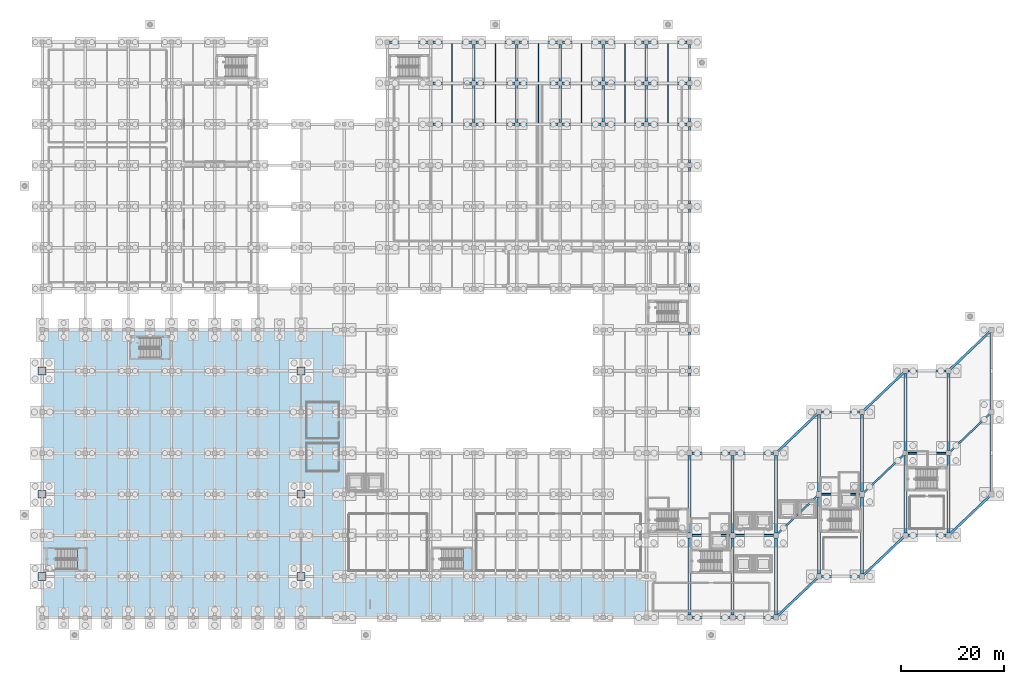
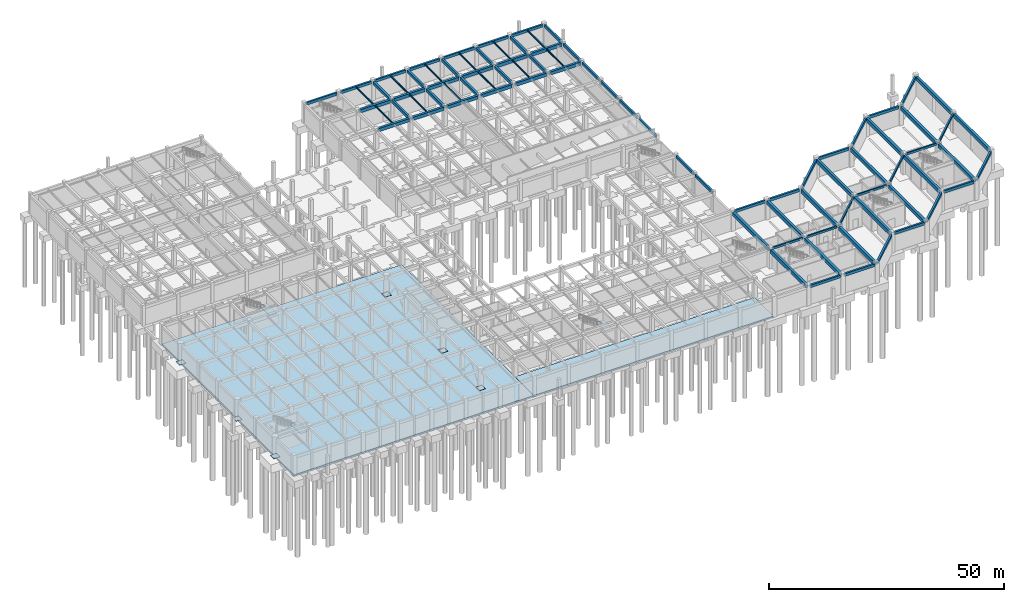
# One storey, part 34 of 56: 86 beams, 6 plates, 5 slabs, 3 elements without a shape of their own.
"""IFC4 building model written with IfcOpenShell, lengths in metres."""

from ifc_helpers import new_model, si_unit, direction, frame, origin, origin_2d, place, context, subcontext, project, spatial, polyline, rectangle, i_section, outline, extrude, material, layer, layer_set, material_profile, profile_set, type_object, element, aggregate, save


model = new_model("IFC4")

# Units and contexts
model_context = context("Model", 3, precision=1e-05, world=origin(), true_north=direction((0.0, 1.0)))
body_context = subcontext(model_context, "Body", "Model", "MODEL_VIEW")
ifc_project = project(units=[si_unit("LENGTHUNIT", "METRE"), si_unit("AREAUNIT", "SQUARE_METRE"), si_unit("VOLUMEUNIT", "CUBIC_METRE"), si_unit("PLANEANGLEUNIT", "RADIAN"), si_unit("MASSUNIT", "GRAM", prefix="KILO")], contexts=[model_context])

# Site, building, storey
site_placement = place(None, origin())
site = spatial("IfcSite", under=ifc_project, at=site_placement, CompositionType="ELEMENT")
building_placement = place(site_placement, origin())
building = spatial("IfcBuilding", under=site, at=building_placement, Name="Naruveol Harbour Congress Hotel", CompositionType="ELEMENT")
storey_placement = place(building_placement, frame((0.0, 0.0, -5.39990234375)))
storey = spatial("IfcBuildingStorey", under=building, at=storey_placement, Name="B01", CompositionType="ELEMENT", Elevation=-5.39990234375)

# Beams
ifc_material_1 = material(Name="Concrete C40/50", Category="concrete")
ifc_material_profile_1 = material_profile(ifc_material_1, rectangle(XDim=0.5, YDim=0.75, at=origin_2d()), Name="RCB-500x750")
ifc_profile_set_1 = profile_set([ifc_material_profile_1], Name="Concrete C40/50")
beam_type_1 = type_object("IfcBeamType", Name="RC FLOOR GIRDER 500X750", PredefinedType="BEAM", material=ifc_profile_set_1)
beam_1_placement = place(storey_placement, frame((84.0, 96.39599609375, 4.6748046875), z_axis=(0.0, 1.0, 0.0), x_axis=(-1.0, 0.0, 0.0)))
element("IfcBeam", 1, at=beam_1_placement, inside=storey, type_object=beam_type_1, Name="Transverse girder L00 CB3", PredefinedType="BEAM", context=body_context, shape_type="SweptSolid", body=[
    extrude(rectangle(XDim=0.5, YDim=0.75, at=origin_2d()), origin(), (0.0, 0.0, 1.0), 7.2080078125),
])
beam_2_placement = place(storey_placement, frame((84.0, 104.39599609375, 4.625), z_axis=(0.0, 1.0, 0.0), x_axis=(-1.0, 0.0, 0.0)))
element("IfcBeam", 2, at=beam_2_placement, inside=storey, type_object=beam_type_1, Name="Transverse girder L00 CB3", PredefinedType="BEAM", context=body_context, shape_type="SweptSolid", body=[
    extrude(rectangle(XDim=0.5, YDim=0.75, at=origin_2d()), origin(), (0.0, 0.0, 1.0), 7.157958984375),
])
beam_3_placement = place(storey_placement, frame((92.39990234375, 96.39599609375, 4.6748046875), z_axis=(0.0, 1.0, 0.0), x_axis=(-1.0, 0.0, 0.0)))
element("IfcBeam", 3, at=beam_3_placement, inside=storey, type_object=beam_type_1, Name="Transverse girder L00 CB3", PredefinedType="BEAM", context=body_context, shape_type="SweptSolid", body=[
    extrude(rectangle(XDim=0.5, YDim=0.75, at=origin_2d()), origin(), (0.0, 0.0, 1.0), 7.2080078125),
])
beam_4_placement = place(storey_placement, frame((92.39990234375, 104.39599609375, 4.625), z_axis=(0.0, 1.0, 0.0), x_axis=(-1.0, 0.0, 0.0)))
element("IfcBeam", 4, at=beam_4_placement, inside=storey, type_object=beam_type_1, Name="Transverse girder L00 CB3", PredefinedType="BEAM", context=body_context, shape_type="SweptSolid", body=[
    extrude(rectangle(XDim=0.5, YDim=0.75, at=origin_2d()), origin(), (0.0, 0.0, 1.0), 7.157958984375),
])
beam_5_placement = place(storey_placement, frame((100.800048828125, 96.39599609375, 4.6748046875), z_axis=(0.0, 1.0, 0.0), x_axis=(-1.0, 0.0, 0.0)))
element("IfcBeam", 5, at=beam_5_placement, inside=storey, type_object=beam_type_1, Name="Transverse girder L00 CB3", PredefinedType="BEAM", context=body_context, shape_type="SweptSolid", body=[
    extrude(rectangle(XDim=0.5, YDim=0.75, at=origin_2d()), origin(), (0.0, 0.0, 1.0), 7.2080078125),
])
beam_6_placement = place(storey_placement, frame((100.800048828125, 104.39599609375, 4.625), z_axis=(0.0, 1.0, 0.0), x_axis=(-1.0, 0.0, 0.0)))
element("IfcBeam", 6, at=beam_6_placement, inside=storey, type_object=beam_type_1, Name="Transverse girder L00 CB3", PredefinedType="BEAM", context=body_context, shape_type="SweptSolid", body=[
    extrude(rectangle(XDim=0.5, YDim=0.75, at=origin_2d()), origin(), (0.0, 0.0, 1.0), 7.157958984375),
])
for number, where, z_axis, x_axis, name in (
    (7, (109.199951171875, 96.446044921875, 4.6748046875), (0.0, 1.0, 0.0), (-1.0, 0.0, 0.0), "Transverse girder L00 CB3"),
    (8, (109.199951171875, 104.446044921875, 4.625), (0.0, 1.0, 0.0), (-1.0, 0.0, 0.0), "Transverse girder L00 CB3"),
    (9, (117.60009765625, 96.446044921875, 4.6748046875), (0.0, 1.0, 0.0), (-1.0, 0.0, 0.0), "Transverse girder L00 CB3"),
    (10, (117.60009765625, 104.446044921875, 4.625), (0.0, 1.0, 0.0), (-1.0, 0.0, 0.0), "Transverse girder L00 CB3"),
):
    element("IfcBeam", number, at=place(storey_placement, frame(where, z_axis=z_axis, x_axis=x_axis)), inside=storey, type_object=beam_type_1, Name=name, PredefinedType="BEAM", context=body_context, shape_type="SweptSolid", body=[
        extrude(rectangle(XDim=0.5, YDim=0.75, at=origin_2d()), origin(), (0.0, 0.0, 1.0), 7.10791015625),
    ])
ifc_material_2 = material(Name="Concrete C40/50", Category="concrete")
ifc_material_profile_2 = material_profile(ifc_material_2, rectangle(XDim=0.60009765625, YDim=0.949951171875, at=origin_2d()), Name="RCB-600x950")
ifc_profile_set_2 = profile_set([ifc_material_profile_2], Name="Concrete C40/50")
beam_type_2 = type_object("IfcBeamType", Name="RC LONG SPAN GIRDER 600X950", PredefinedType="BEAM", material=ifc_profile_set_2)
for number, where, z_axis, x_axis, name in (
    (11, (126.0, 0.49609375, 4.52490234375), (0.0, 1.0, 0.0), (-1.0, 0.0, 0.0), "Hotel pilotis girder L00 CB1"),
    (12, (126.0, 16.49609375, 4.52490234375), (0.0, 1.0, 0.0), (-1.0, 0.0, 0.0), "Hotel pilotis girder L00 CB1"),
    (13, (134.39990234375, 0.49609375, 4.52490234375), (0.0, 1.0, 0.0), (-1.0, 0.0, 0.0), "Hotel pilotis girder L00 CB1"),
    (14, (134.39990234375, 16.49609375, 4.52490234375), (0.0, 1.0, 0.0), (-1.0, 0.0, 0.0), "Hotel pilotis girder L00 CB1"),
    (15, (142.800048828125, 0.49609375, 4.52490234375), (0.0, 1.0, 0.0), (-1.0, 0.0, 0.0), "Hotel pilotis girder L00 CB1"),
    (16, (142.800048828125, 16.49609375, 4.52490234375), (0.0, 1.0, 0.0), (-1.0, 0.0, 0.0), "Hotel pilotis girder L00 CB1"),
    (17, (151.199951171875, 8.49609375, 4.574951171875), (0.0, 1.0, 0.0), (-1.0, 0.0, 0.0), "Hotel pilotis girder L00 CB1"),
    (18, (151.199951171875, 24.49609375, 4.52490234375), (0.0, 1.0, 0.0), (-1.0, 0.0, 0.0), "Hotel pilotis girder L00 CB1"),
    (19, (159.60009765625, 8.49609375, 4.574951171875), (0.0, 1.0, 0.0), (-1.0, 0.0, 0.0), "Hotel pilotis girder L00 CB1"),
    (20, (159.60009765625, 24.49609375, 4.52490234375), (0.0, 1.0, 0.0), (-1.0, 0.0, 0.0), "Hotel pilotis girder L00 CB1"),
    (21, (168.0, 16.49609375, 4.574951171875), (0.0, 1.0, 0.0), (-1.0, 0.0, 0.0), "Hotel pilotis girder L00 CB1"),
    (22, (168.0, 32.49609375, 4.52490234375), (0.0, 1.0, 0.0), (-1.0, 0.0, 0.0), "Hotel pilotis girder L00 CB1"),
    (23, (176.39990234375, 16.49609375, 4.574951171875), (0.0, 1.0, 0.0), (-1.0, 0.0, 0.0), "Hotel pilotis girder L00 CB1"),
    (24, (176.39990234375, 32.49609375, 4.52490234375), (0.0, 1.0, 0.0), (-1.0, 0.0, 0.0), "Hotel pilotis girder L00 CB1"),
    (25, (184.800048828125, 24.49609375, 4.574951171875), (0.0, 1.0, 0.0), (-1.0, 0.0, 0.0), "Hotel pilotis girder L00 CB1"),
    (26, (184.800048828125, 40.49609375, 4.52490234375), (0.0, 1.0, 0.0), (-1.0, 0.0, 0.0), "Hotel pilotis girder L00 CB1"),
):
    element("IfcBeam", number, at=place(storey_placement, frame(where, z_axis=z_axis, x_axis=x_axis)), inside=storey, type_object=beam_type_2, Name=name, PredefinedType="BEAM", context=body_context, shape_type="SweptSolid", body=[
        extrude(rectangle(XDim=0.60009765625, YDim=0.949951171875, at=origin_2d()), origin(), (0.0, 0.0, 1.0), 15.0078125),
    ])
ifc_material_3 = material(Name="Concrete C40/50", Category="concrete")
ifc_material_profile_3 = material_profile(ifc_material_3, rectangle(XDim=0.550048828125, YDim=0.85009765625, at=origin_2d()), Name="RCB-550x850")
ifc_profile_set_3 = profile_set([ifc_material_profile_3], Name="Concrete C40/50")
beam_type_3 = type_object("IfcBeamType", Name="RC PRIMARY GIRDER 550X850", PredefinedType="BEAM", material=ifc_profile_set_3)
beam_7_placement = place(storey_placement, frame((76.0458984375, 96.0, 4.625), z_axis=(1.0, 0.0, 0.0), x_axis=(0.0, 1.0, 0.0)))
element("IfcBeam", 27, at=beam_7_placement, inside=storey, type_object=beam_type_3, Name="Floor girder L00 CB2", PredefinedType="BEAM", context=body_context, shape_type="SweptSolid", body=[
    extrude(rectangle(XDim=0.550048828125, YDim=0.85009765625, at=origin_2d()), origin(), (0.0, 0.0, 1.0), 7.55810546875),
])
beam_8_placement = place(storey_placement, frame((84.39599609375, 96.0, 4.625), z_axis=(1.0, 0.0, 0.0), x_axis=(0.0, 1.0, 0.0)))
element("IfcBeam", 28, at=beam_8_placement, inside=storey, type_object=beam_type_3, Name="Floor girder L00 CB2", PredefinedType="BEAM", context=body_context, shape_type="SweptSolid", body=[
    extrude(rectangle(XDim=0.550048828125, YDim=0.85009765625, at=origin_2d()), origin(), (0.0, 0.0, 1.0), 7.60791015625),
])
beam_9_placement = place(storey_placement, frame((92.7958984375, 96.0, 4.625), z_axis=(1.0, 0.0, 0.0), x_axis=(0.0, 1.0, 0.0)))
element("IfcBeam", 29, at=beam_9_placement, inside=storey, type_object=beam_type_3, Name="Floor girder L00 CB2", PredefinedType="BEAM", context=body_context, shape_type="SweptSolid", body=[
    extrude(rectangle(XDim=0.550048828125, YDim=0.85009765625, at=origin_2d()), origin(), (0.0, 0.0, 1.0), 7.608154296875),
])
beam_10_placement = place(storey_placement, frame((101.196044921875, 96.0, 4.625), z_axis=(1.0, 0.0, 0.0), x_axis=(0.0, 1.0, 0.0)))
element("IfcBeam", 30, at=beam_10_placement, inside=storey, type_object=beam_type_3, Name="Floor girder L00 CB2", PredefinedType="BEAM", context=body_context, shape_type="SweptSolid", body=[
    extrude(rectangle(XDim=0.550048828125, YDim=0.85009765625, at=origin_2d()), origin(), (0.0, 0.0, 1.0), 7.557861328125),
])
for number, where, z_axis, x_axis, name in (
    (31, (109.64599609375, 96.0, 4.625), (1.0, 0.0, 0.0), (0.0, 1.0, 0.0), "Floor girder L00 CB2"),
    (32, (118.0458984375, 96.0, 4.574951171875), (1.0, 0.0, 0.0), (0.0, 1.0, 0.0), "Floor girder L00 CB2"),
):
    element("IfcBeam", number, at=place(storey_placement, frame(where, z_axis=z_axis, x_axis=x_axis)), inside=storey, type_object=beam_type_3, Name=name, PredefinedType="BEAM", context=body_context, shape_type="SweptSolid", body=[
        extrude(rectangle(XDim=0.550048828125, YDim=0.85009765625, at=origin_2d()), origin(), (0.0, 0.0, 1.0), 7.508056640625),
    ])
beam_11_placement = place(storey_placement, frame((76.0458984375, 104.0, 4.625), z_axis=(1.0, 0.0, 0.0), x_axis=(0.0, 1.0, 0.0)))
element("IfcBeam", 33, at=beam_11_placement, inside=storey, type_object=beam_type_3, Name="Floor girder L00 CB2", PredefinedType="BEAM", context=body_context, shape_type="SweptSolid", body=[
    extrude(rectangle(XDim=0.550048828125, YDim=0.85009765625, at=origin_2d()), origin(), (0.0, 0.0, 1.0), 7.55810546875),
])
beam_12_placement = place(storey_placement, frame((84.39599609375, 104.0, 4.625), z_axis=(1.0, 0.0, 0.0), x_axis=(0.0, 1.0, 0.0)))
element("IfcBeam", 34, at=beam_12_placement, inside=storey, type_object=beam_type_3, Name="Floor girder L00 CB2", PredefinedType="BEAM", context=body_context, shape_type="SweptSolid", body=[
    extrude(rectangle(XDim=0.550048828125, YDim=0.85009765625, at=origin_2d()), origin(), (0.0, 0.0, 1.0), 7.60791015625),
])
beam_13_placement = place(storey_placement, frame((92.7958984375, 104.0, 4.625), z_axis=(1.0, 0.0, 0.0), x_axis=(0.0, 1.0, 0.0)))
element("IfcBeam", 35, at=beam_13_placement, inside=storey, type_object=beam_type_3, Name="Floor girder L00 CB2", PredefinedType="BEAM", context=body_context, shape_type="SweptSolid", body=[
    extrude(rectangle(XDim=0.550048828125, YDim=0.85009765625, at=origin_2d()), origin(), (0.0, 0.0, 1.0), 7.608154296875),
])
beam_14_placement = place(storey_placement, frame((101.196044921875, 104.0, 4.625), z_axis=(1.0, 0.0, 0.0), x_axis=(0.0, 1.0, 0.0)))
element("IfcBeam", 36, at=beam_14_placement, inside=storey, type_object=beam_type_3, Name="Floor girder L00 CB2", PredefinedType="BEAM", context=body_context, shape_type="SweptSolid", body=[
    extrude(rectangle(XDim=0.550048828125, YDim=0.85009765625, at=origin_2d()), origin(), (0.0, 0.0, 1.0), 7.557861328125),
])
for number, where, z_axis, x_axis, name in (
    (37, (109.64599609375, 104.0, 4.625), (1.0, 0.0, 0.0), (0.0, 1.0, 0.0), "Floor girder L00 CB2"),
    (38, (118.0458984375, 104.0, 4.574951171875), (1.0, 0.0, 0.0), (0.0, 1.0, 0.0), "Floor girder L00 CB2"),
):
    element("IfcBeam", number, at=place(storey_placement, frame(where, z_axis=z_axis, x_axis=x_axis)), inside=storey, type_object=beam_type_3, Name=name, PredefinedType="BEAM", context=body_context, shape_type="SweptSolid", body=[
        extrude(rectangle(XDim=0.550048828125, YDim=0.85009765625, at=origin_2d()), origin(), (0.0, 0.0, 1.0), 7.508056640625),
    ])
ifc_material_4 = material(Name="Concrete C40/50", Category="concrete")
ifc_material_profile_4 = material_profile(ifc_material_4, rectangle(XDim=0.35009765625, YDim=0.550048828125, at=origin_2d()), Name="RCB-350x550")
ifc_profile_set_4 = profile_set([ifc_material_profile_4], Name="Concrete C40/50")
beam_type_4 = type_object("IfcBeamType", Name="RC SECONDARY BEAM 350X550", PredefinedType="JOIST", material=ifc_profile_set_4)
for number, where, z_axis, x_axis, name in (
    (39, (126.49609375, 16.0, 4.77490234375), (1.0, 0.0, 0.0), (0.0, 1.0, 0.0), "Hotel chord beam L00 CJ1"),
    (40, (134.89599609375, 16.0, 4.77490234375), (1.0, 0.0, 0.0), (0.0, 1.0, 0.0), "Hotel chord beam L00 CJ1"),
):
    element("IfcBeam", number, at=place(storey_placement, frame(where, z_axis=z_axis, x_axis=x_axis)), inside=storey, type_object=beam_type_4, Name=name, PredefinedType="JOIST", context=body_context, shape_type="SweptSolid", body=[
        extrude(rectangle(XDim=0.35009765625, YDim=0.550048828125, at=origin_2d()), origin(), (0.0, 0.0, 1.0), 7.407958984375),
    ])
beam_15_placement = place(storey_placement, frame((143.1591796875, 16.342041015625, 4.77490234375), z_axis=(0.724134647121, 0.689658620507, 0.0), x_axis=(-0.689658620507, 0.724134647121, 0.0)))
element("IfcBeam", 41, at=beam_15_placement, inside=storey, type_object=beam_type_4, Name="Hotel chord beam L00 CJ1", PredefinedType="JOIST", context=body_context, shape_type="SweptSolid", body=[
    extrude(rectangle(XDim=0.35009765625, YDim=0.550048828125, at=origin_2d()), origin(), (0.0, 0.0, 1.0), 10.60791015625),
])
beam_16_placement = place(storey_placement, frame((151.696044921875, 24.0, 4.77490234375), z_axis=(1.0, 0.0, 0.0), x_axis=(0.0, 1.0, 0.0)))
element("IfcBeam", 42, at=beam_16_placement, inside=storey, type_object=beam_type_4, Name="Hotel chord beam L00 CJ1", PredefinedType="JOIST", context=body_context, shape_type="SweptSolid", body=[
    extrude(rectangle(XDim=0.35009765625, YDim=0.550048828125, at=origin_2d()), origin(), (0.0, 0.0, 1.0), 7.407958984375),
])
beam_17_placement = place(storey_placement, frame((159.959228515625, 24.342041015625, 4.77490234375), z_axis=(0.724134647121, 0.689658620507, 0.0), x_axis=(-0.689658620507, 0.724134647121, 0.0)))
element("IfcBeam", 43, at=beam_17_placement, inside=storey, type_object=beam_type_4, Name="Hotel chord beam L00 CJ1", PredefinedType="JOIST", context=body_context, shape_type="SweptSolid", body=[
    extrude(rectangle(XDim=0.35009765625, YDim=0.550048828125, at=origin_2d()), origin(), (0.0, 0.0, 1.0), 10.60791015625),
])
beam_18_placement = place(storey_placement, frame((168.49609375, 32.0, 4.77490234375), z_axis=(1.0, 0.0, 0.0), x_axis=(0.0, 1.0, 0.0)))
element("IfcBeam", 44, at=beam_18_placement, inside=storey, type_object=beam_type_4, Name="Hotel chord beam L00 CJ1", PredefinedType="JOIST", context=body_context, shape_type="SweptSolid", body=[
    extrude(rectangle(XDim=0.35009765625, YDim=0.550048828125, at=origin_2d()), origin(), (0.0, 0.0, 1.0), 7.407958984375),
])
beam_19_placement = place(storey_placement, frame((176.75927734375, 32.342041015625, 4.77490234375), z_axis=(0.724134647121, 0.689658620507, 0.0), x_axis=(-0.689658620507, 0.724134647121, 0.0)))
element("IfcBeam", 45, at=beam_19_placement, inside=storey, type_object=beam_type_4, Name="Hotel chord beam L00 CJ1", PredefinedType="JOIST", context=body_context, shape_type="SweptSolid", body=[
    extrude(rectangle(XDim=0.35009765625, YDim=0.550048828125, at=origin_2d()), origin(), (0.0, 0.0, 1.0), 10.60791015625),
])
ifc_material_5 = material(Name="Concrete C40/50", Category="concrete")
ifc_material_profile_5 = material_profile(ifc_material_5, rectangle(XDim=0.449951171875, YDim=0.699951171875, at=origin_2d()), Name="RCB-450x700")
ifc_profile_set_5 = profile_set([ifc_material_profile_5], Name="Concrete C40/50")
beam_type_5 = type_object("IfcBeamType", Name="RC SPANDREL BEAM 450X700", PredefinedType="SPANDREL", material=ifc_profile_set_5)
for number, where, z_axis, x_axis, name in (
    (46, (67.64599609375, 112.0, 4.64990234375), (1.0, 0.0, 0.0), (0.0, 1.0, 0.0), "Floor girder L00 SPB1"),
    (47, (76.0458984375, 112.0, 4.64990234375), (1.0, 0.0, 0.0), (0.0, 1.0, 0.0), "Floor girder L00 SPB1"),
    (48, (84.446044921875, 112.0, 4.64990234375), (1.0, 0.0, 0.0), (0.0, 1.0, 0.0), "Floor girder L00 SPB1"),
    (49, (92.845947265625, 112.0, 4.64990234375), (1.0, 0.0, 0.0), (0.0, 1.0, 0.0), "Floor girder L00 SPB1"),
):
    element("IfcBeam", number, at=place(storey_placement, frame(where, z_axis=z_axis, x_axis=x_axis)), inside=storey, type_object=beam_type_5, Name=name, PredefinedType="SPANDREL", context=body_context, shape_type="SweptSolid", body=[
        extrude(rectangle(XDim=0.449951171875, YDim=0.699951171875, at=origin_2d()), origin(), (0.0, 0.0, 1.0), 7.508056640625),
    ])
beam_20_placement = place(storey_placement, frame((101.24609375, 112.0, 4.64990234375), z_axis=(1.0, 0.0, 0.0), x_axis=(0.0, 1.0, 0.0)))
element("IfcBeam", 50, at=beam_20_placement, inside=storey, type_object=beam_type_5, Name="Floor girder L00 SPB1", PredefinedType="SPANDREL", context=body_context, shape_type="SweptSolid", body=[
    extrude(rectangle(XDim=0.449951171875, YDim=0.699951171875, at=origin_2d()), origin(), (0.0, 0.0, 1.0), 7.5078125),
])
for number, where, z_axis, x_axis, name in (
    (51, (109.64599609375, 112.0, 4.64990234375), (1.0, 0.0, 0.0), (0.0, 1.0, 0.0), "Floor girder L00 SPB1"),
    (52, (118.0458984375, 112.0, 4.64990234375), (1.0, 0.0, 0.0), (0.0, 1.0, 0.0), "Floor girder L00 SPB1"),
):
    element("IfcBeam", number, at=place(storey_placement, frame(where, z_axis=z_axis, x_axis=x_axis)), inside=storey, type_object=beam_type_5, Name=name, PredefinedType="SPANDREL", context=body_context, shape_type="SweptSolid", body=[
        extrude(rectangle(XDim=0.449951171875, YDim=0.699951171875, at=origin_2d()), origin(), (0.0, 0.0, 1.0), 7.508056640625),
    ])
for number, where, z_axis, x_axis, name in (
    (53, (126.0, 40.39599609375, 4.64990234375), (0.0, 1.0, 0.0), (-1.0, 0.0, 0.0), "Transverse girder L00 SPB1"),
    (54, (126.0, 48.39599609375, 4.64990234375), (0.0, 1.0, 0.0), (-1.0, 0.0, 0.0), "Transverse girder L00 SPB1"),
    (55, (126.0, 64.39599609375, 4.64990234375), (0.0, 1.0, 0.0), (-1.0, 0.0, 0.0), "Transverse girder L00 SPB1"),
):
    element("IfcBeam", number, at=place(storey_placement, frame(where, z_axis=z_axis, x_axis=x_axis)), inside=storey, type_object=beam_type_5, Name=name, PredefinedType="SPANDREL", context=body_context, shape_type="SweptSolid", body=[
        extrude(rectangle(XDim=0.449951171875, YDim=0.699951171875, at=origin_2d()), origin(), (0.0, 0.0, 1.0), 7.2080078125),
    ])
beam_21_placement = place(storey_placement, frame((126.0, 72.39599609375, 4.64990234375), z_axis=(0.0, 1.0, 0.0), x_axis=(-1.0, 0.0, 0.0)))
element("IfcBeam", 56, at=beam_21_placement, inside=storey, type_object=beam_type_5, Name="Transverse girder L00 SPB1", PredefinedType="SPANDREL", context=body_context, shape_type="SweptSolid", body=[
    extrude(rectangle(XDim=0.449951171875, YDim=0.699951171875, at=origin_2d()), origin(), (0.0, 0.0, 1.0), 7.157958984375),
])
for number, where, z_axis, x_axis, name in (
    (57, (126.0, 80.446044921875, 4.64990234375), (0.0, 1.0, 0.0), (-1.0, 0.0, 0.0), "Transverse girder L00 SPB1"),
    (58, (126.0, 88.446044921875, 4.64990234375), (0.0, 1.0, 0.0), (-1.0, 0.0, 0.0), "Transverse girder L00 SPB1"),
    (59, (126.0, 96.446044921875, 4.64990234375), (0.0, 1.0, 0.0), (-1.0, 0.0, 0.0), "Transverse girder L00 SPB1"),
    (60, (126.0, 104.446044921875, 4.64990234375), (0.0, 1.0, 0.0), (-1.0, 0.0, 0.0), "Transverse girder L00 SPB1"),
):
    element("IfcBeam", number, at=place(storey_placement, frame(where, z_axis=z_axis, x_axis=x_axis)), inside=storey, type_object=beam_type_5, Name=name, PredefinedType="SPANDREL", context=body_context, shape_type="SweptSolid", body=[
        extrude(rectangle(XDim=0.449951171875, YDim=0.699951171875, at=origin_2d()), origin(), (0.0, 0.0, 1.0), 7.10791015625),
    ])
for number, where, z_axis, x_axis, name in (
    (61, (126.49609375, 0.0, 4.64990234375), (1.0, 0.0, 0.0), (0.0, 1.0, 0.0), "Hotel chord beam L00 SPB1"),
    (62, (126.49609375, 32.0, 4.64990234375), (1.0, 0.0, 0.0), (0.0, 1.0, 0.0), "Hotel chord beam L00 SPB1"),
    (63, (134.89599609375, 0.0, 4.64990234375), (1.0, 0.0, 0.0), (0.0, 1.0, 0.0), "Hotel chord beam L00 SPB1"),
    (64, (134.89599609375, 32.0, 4.64990234375), (1.0, 0.0, 0.0), (0.0, 1.0, 0.0), "Hotel chord beam L00 SPB1"),
):
    element("IfcBeam", number, at=place(storey_placement, frame(where, z_axis=z_axis, x_axis=x_axis)), inside=storey, type_object=beam_type_5, Name=name, PredefinedType="SPANDREL", context=body_context, shape_type="SweptSolid", body=[
        extrude(rectangle(XDim=0.449951171875, YDim=0.699951171875, at=origin_2d()), origin(), (0.0, 0.0, 1.0), 7.407958984375),
    ])
for number, where, z_axis, x_axis, name in (
    (65, (143.1591796875, 0.342041015625, 4.64990234375), (0.724134647121, 0.689658620507, 0.0), (-0.689658620507, 0.724134647121, 0.0), "Hotel chord beam L00 SPB1"),
    (66, (143.1591796875, 32.342041015625, 4.64990234375), (0.724134647121, 0.689658620507, 0.0), (-0.689658620507, 0.724134647121, 0.0), "Hotel chord beam L00 SPB1"),
):
    element("IfcBeam", number, at=place(storey_placement, frame(where, z_axis=z_axis, x_axis=x_axis)), inside=storey, type_object=beam_type_5, Name=name, PredefinedType="SPANDREL", context=body_context, shape_type="SweptSolid", body=[
        extrude(rectangle(XDim=0.449951171875, YDim=0.699951171875, at=origin_2d()), origin(), (0.0, 0.0, 1.0), 10.60791015625),
    ])
for number, where, z_axis, x_axis, name in (
    (67, (151.696044921875, 8.0, 4.699951171875), (1.0, 0.0, 0.0), (0.0, 1.0, 0.0), "Hotel chord beam L00 SPB1"),
    (68, (151.696044921875, 40.0, 4.64990234375), (1.0, 0.0, 0.0), (0.0, 1.0, 0.0), "Hotel chord beam L00 SPB1"),
):
    element("IfcBeam", number, at=place(storey_placement, frame(where, z_axis=z_axis, x_axis=x_axis)), inside=storey, type_object=beam_type_5, Name=name, PredefinedType="SPANDREL", context=body_context, shape_type="SweptSolid", body=[
        extrude(rectangle(XDim=0.449951171875, YDim=0.699951171875, at=origin_2d()), origin(), (0.0, 0.0, 1.0), 7.407958984375),
    ])
for number, where, z_axis, x_axis, name in (
    (69, (159.959228515625, 8.342041015625, 4.699951171875), (0.724134647121, 0.689658620507, 0.0), (-0.689658620507, 0.724134647121, 0.0), "Hotel chord beam L00 SPB1"),
    (70, (159.959228515625, 40.342041015625, 4.64990234375), (0.724134647121, 0.689658620507, 0.0), (-0.689658620507, 0.724134647121, 0.0), "Hotel chord beam L00 SPB1"),
):
    element("IfcBeam", number, at=place(storey_placement, frame(where, z_axis=z_axis, x_axis=x_axis)), inside=storey, type_object=beam_type_5, Name=name, PredefinedType="SPANDREL", context=body_context, shape_type="SweptSolid", body=[
        extrude(rectangle(XDim=0.449951171875, YDim=0.699951171875, at=origin_2d()), origin(), (0.0, 0.0, 1.0), 10.60791015625),
    ])
for number, where, z_axis, x_axis, name in (
    (71, (168.49609375, 16.0, 4.699951171875), (1.0, 0.0, 0.0), (0.0, 1.0, 0.0), "Hotel chord beam L00 SPB1"),
    (72, (168.49609375, 48.0, 4.64990234375), (1.0, 0.0, 0.0), (0.0, 1.0, 0.0), "Hotel chord beam L00 SPB1"),
):
    element("IfcBeam", number, at=place(storey_placement, frame(where, z_axis=z_axis, x_axis=x_axis)), inside=storey, type_object=beam_type_5, Name=name, PredefinedType="SPANDREL", context=body_context, shape_type="SweptSolid", body=[
        extrude(rectangle(XDim=0.449951171875, YDim=0.699951171875, at=origin_2d()), origin(), (0.0, 0.0, 1.0), 7.407958984375),
    ])
for number, where, z_axis, x_axis, name in (
    (73, (176.75927734375, 16.342041015625, 4.699951171875), (0.724134647121, 0.689658620507, 0.0), (-0.689658620507, 0.724134647121, 0.0), "Hotel chord beam L00 SPB1"),
    (74, (176.75927734375, 48.342041015625, 4.64990234375), (0.724134647121, 0.689658620507, 0.0), (-0.689658620507, 0.724134647121, 0.0), "Hotel chord beam L00 SPB1"),
):
    element("IfcBeam", number, at=place(storey_placement, frame(where, z_axis=z_axis, x_axis=x_axis)), inside=storey, type_object=beam_type_5, Name=name, PredefinedType="SPANDREL", context=body_context, shape_type="SweptSolid", body=[
        extrude(rectangle(XDim=0.449951171875, YDim=0.699951171875, at=origin_2d()), origin(), (0.0, 0.0, 1.0), 10.60791015625),
    ])
ifc_material_6 = material(Name="Steel SN490", Category="steel")
ifc_material_profile_6 = material_profile(ifc_material_6, i_section(OverallWidth=0.199951171875, OverallDepth=0.39990234375, WebThickness=0.008056640625, FlangeThickness=0.012939453125, at=origin_2d()), Name="H-400x200x8x13")
ifc_profile_set_6 = profile_set([ifc_material_profile_6], Name="Steel SN490")
beam_type_6 = type_object("IfcBeamType", Name="STEEL SECONDARY JOIST H400", PredefinedType="JOIST", material=ifc_profile_set_6)
for number, where, z_axis, x_axis, name in (
    (75, (79.800048828125, 96.27099609375, 4.849853515625), (0.0, 1.0, 0.0), (-1.0, 0.0, 0.0), "Secondary floor joist L00 SJ1"),
    (76, (88.199951171875, 96.27099609375, 4.849853515625), (0.0, 1.0, 0.0), (-1.0, 0.0, 0.0), "Secondary floor joist L00 SJ1"),
    (77, (96.60009765625, 96.27099609375, 4.849853515625), (0.0, 1.0, 0.0), (-1.0, 0.0, 0.0), "Secondary floor joist L00 SJ1"),
    (78, (105.0, 96.27099609375, 4.849853515625), (0.0, 1.0, 0.0), (-1.0, 0.0, 0.0), "Secondary floor joist L00 SJ1"),
    (79, (113.39990234375, 96.27099609375, 4.849853515625), (0.0, 1.0, 0.0), (-1.0, 0.0, 0.0), "Secondary floor joist L00 SJ1"),
    (80, (121.800048828125, 96.27099609375, 4.7998046875), (0.0, 1.0, 0.0), (-1.0, 0.0, 0.0), "Secondary floor joist L00 SJ1"),
):
    element("IfcBeam", number, at=place(storey_placement, frame(where, z_axis=z_axis, x_axis=x_axis)), inside=storey, type_object=beam_type_6, Name=name, PredefinedType="JOIST", context=body_context, shape_type="SweptSolid", body=[
        extrude(i_section(OverallWidth=0.199951171875, OverallDepth=0.39990234375, WebThickness=0.008056640625, FlangeThickness=0.012939453125, at=origin_2d()), origin(), (0.0, 0.0, 1.0), 7.4580078125),
    ])
for number, where, z_axis, x_axis, name in (
    (81, (79.800048828125, 104.27099609375, 4.7998046875), (0.0, 1.0, 0.0), (-1.0, 0.0, 0.0), "Secondary floor joist L00 SJ1"),
    (82, (88.199951171875, 104.27099609375, 4.7998046875), (0.0, 1.0, 0.0), (-1.0, 0.0, 0.0), "Secondary floor joist L00 SJ1"),
    (83, (96.60009765625, 104.27099609375, 4.7998046875), (0.0, 1.0, 0.0), (-1.0, 0.0, 0.0), "Secondary floor joist L00 SJ1"),
    (84, (105.0, 104.27099609375, 4.7998046875), (0.0, 1.0, 0.0), (-1.0, 0.0, 0.0), "Secondary floor joist L00 SJ1"),
    (85, (113.39990234375, 104.27099609375, 4.7998046875), (0.0, 1.0, 0.0), (-1.0, 0.0, 0.0), "Secondary floor joist L00 SJ1"),
    (86, (121.800048828125, 104.27099609375, 4.7998046875), (0.0, 1.0, 0.0), (-1.0, 0.0, 0.0), "Secondary floor joist L00 SJ1"),
):
    element("IfcBeam", number, at=place(storey_placement, frame(where, z_axis=z_axis, x_axis=x_axis)), inside=storey, type_object=beam_type_6, Name=name, PredefinedType="JOIST", context=body_context, shape_type="SweptSolid", body=[
        extrude(i_section(OverallWidth=0.199951171875, OverallDepth=0.39990234375, WebThickness=0.008056640625, FlangeThickness=0.012939453125, at=origin_2d()), origin(), (0.0, 0.0, 1.0), 7.508056640625),
    ])

# Slabs
ifc_material_7 = material(Name="Concrete C40/50", Category="concrete")
ifc_layer_1 = layer(ifc_material_7, 0.5)
ifc_layer_set_1 = layer_set([ifc_layer_1], Name="Concrete C40/50")
slab_type_1 = type_object("IfcSlabType", Name="RC BASEMENT MAT SLAB 500", PredefinedType="BASESLAB", material=ifc_layer_set_1)
slab_1_placement = place(storey_placement, frame((0.0, 0.0, -0.5)))
element("IfcSlab", 87, at=slab_1_placement, inside=storey, type_object=slab_type_1, Name="Basement B01 Congress mat slab", PredefinedType="BASESLAB", context=body_context, shape_type="SweptSolid", body=[
    extrude(outline(polyline([(0.0, 0.0), (58.800048828125, 0.0), (58.800048828125, 56.0), (0.0, 56.0), (0.0, 0.0)])), origin(), (0.0, 0.0, 1.0), 0.5),
])
slab_2_placement = place(storey_placement, frame((0.0, 0.0, -0.5)))
element("IfcSlab", 88, at=slab_2_placement, inside=storey, type_object=slab_type_1, Name="Basement B01 Colonnade mat slab", PredefinedType="BASESLAB", context=body_context, shape_type="SweptSolid", body=[
    extrude(outline(polyline([(58.800048828125, 0.0), (117.60009765625, 0.0), (117.60009765625, 8.0), (58.800048828125, 8.0), (58.800048828125, 0.0)])), origin(), (0.0, 0.0, 1.0), 0.5),
])

# Stair, slab
ifc_material_8 = material(Name="Concrete C40/50", Category="concrete")
stair_type = type_object("IfcStairType", Name="RC DOG LEG ESCAPE STAIR 1800W H5400", PredefinedType="HALF_TURN_STAIR", material=ifc_material_8)
stair_1_placement = place(storey_placement, origin())
stair_1 = element("IfcStair", 89, at=stair_1_placement, inside=storey, type_object=stair_type, Name="Congress West Exit Stair ST5 B01 to L00", PredefinedType="HALF_TURN_STAIR")
ifc_material_9 = material(Name="Concrete C40/50", Category="concrete")
ifc_layer_2 = layer(ifc_material_9, 0.179931640625)
ifc_layer_set_2 = layer_set([ifc_layer_2], Name="Concrete C40/50")
slab_type_2 = type_object("IfcSlabType", Name="RC STAIR HALF LANDING SLAB 180", PredefinedType="LANDING", material=ifc_layer_set_2)
slab_3_placement = place(storey_placement, frame((0.0, 0.0, 2.52001953125)))
slab_3 = element("IfcSlab", 90, at=slab_3_placement, type_object=slab_type_2, Name="ST5 B01 half landing", PredefinedType="LANDING", context=body_context, shape_type="SweptSolid", body=[
    extrude(outline(polyline([(6.89990234375, 9.199951171875), (8.699951171875, 9.199951171875), (8.699951171875, 13.56005859375), (6.89990234375, 13.56005859375), (6.89990234375, 9.199951171875)])), origin(), (0.0, 0.0, 1.0), 0.179931640625),
])
aggregate(stair_1, [slab_3])

stair_2_placement = place(storey_placement, origin())
stair_2 = element("IfcStair", 91, at=stair_2_placement, inside=storey, type_object=stair_type, Name="Congress North Exit Stair ST6 B01 to L00", PredefinedType="HALF_TURN_STAIR")
slab_4_placement = place(storey_placement, frame((0.0, 0.0, 2.52001953125)))
slab_4 = element("IfcSlab", 92, at=slab_4_placement, type_object=slab_type_2, Name="ST6 B01 half landing", PredefinedType="LANDING", context=body_context, shape_type="SweptSolid", body=[
    extrude(outline(polyline([(23.10009765625, 50.300048828125), (24.89990234375, 50.300048828125), (24.89990234375, 54.659912109375), (23.10009765625, 54.659912109375), (23.10009765625, 50.300048828125)])), origin(), (0.0, 0.0, 1.0), 0.179931640625),
])
aggregate(stair_2, [slab_4])

stair_3_placement = place(storey_placement, origin())
stair_3 = element("IfcStair", 93, at=stair_3_placement, inside=storey, type_object=stair_type, Name="Courtyard South-West Exit Stair ST10 B01 to L00", PredefinedType="HALF_TURN_STAIR")
slab_5_placement = place(storey_placement, frame((0.0, 0.0, 2.52001953125)))
slab_5 = element("IfcSlab", 94, at=slab_5_placement, type_object=slab_type_2, Name="ST10 B01 half landing", PredefinedType="LANDING", context=body_context, shape_type="SweptSolid", body=[
    extrude(outline(polyline([(81.89990234375, 9.199951171875), (83.699951171875, 9.199951171875), (83.699951171875, 13.56005859375), (81.89990234375, 13.56005859375), (81.89990234375, 9.199951171875)])), origin(), (0.0, 0.0, 1.0), 0.179931640625),
])
aggregate(stair_3, [slab_5])

# Plates
ifc_material_10 = material(Name="Steel SN490", Category="steel")
ifc_layer_3 = layer(ifc_material_10, 0.031982421875)
ifc_layer_set_3 = layer_set([ifc_layer_3], Name="Steel SN490")
plate_type = type_object("IfcPlateType", Name="STEEL COLUMN BASE PLATE 32", PredefinedType="USERDEFINED", material=ifc_layer_set_3)
for number, where, z_axis, x_axis, name in (
    (95, (0.0, 8.0, 0.00390625), (0.0, 0.0, 1.0), (1.0, 0.0, 0.0), "Congress mega-column base plate #1"),
    (96, (0.0, 24.0, 0.00390625), (0.0, 0.0, 1.0), (1.0, 0.0, 0.0), "Congress mega-column base plate #2"),
    (97, (0.0, 48.0, 0.00390625), (0.0, 0.0, 1.0), (1.0, 0.0, 0.0), "Congress mega-column base plate #3"),
    (98, (50.39990234375, 8.0, 0.00390625), (0.0, 0.0, 1.0), (1.0, 0.0, 0.0), "Congress mega-column base plate #4"),
    (99, (50.39990234375, 24.0, 0.00390625), (0.0, 0.0, 1.0), (1.0, 0.0, 0.0), "Congress mega-column base plate #5"),
    (100, (50.39990234375, 48.0, 0.00390625), (0.0, 0.0, 1.0), (1.0, 0.0, 0.0), "Congress mega-column base plate #6"),
):
    element("IfcPlate", number, at=place(storey_placement, frame(where, z_axis=z_axis, x_axis=x_axis)), inside=storey, type_object=plate_type, Name=name, ObjectType="GUSSET PLATE", PredefinedType="USERDEFINED", context=body_context, shape_type="SweptSolid", body=[
        extrude(rectangle(XDim=1.5, YDim=1.5, at=origin_2d()), origin(), (0.0, 0.0, 1.0), 0.031982421875),
    ])

save(model, "model.ifc")
